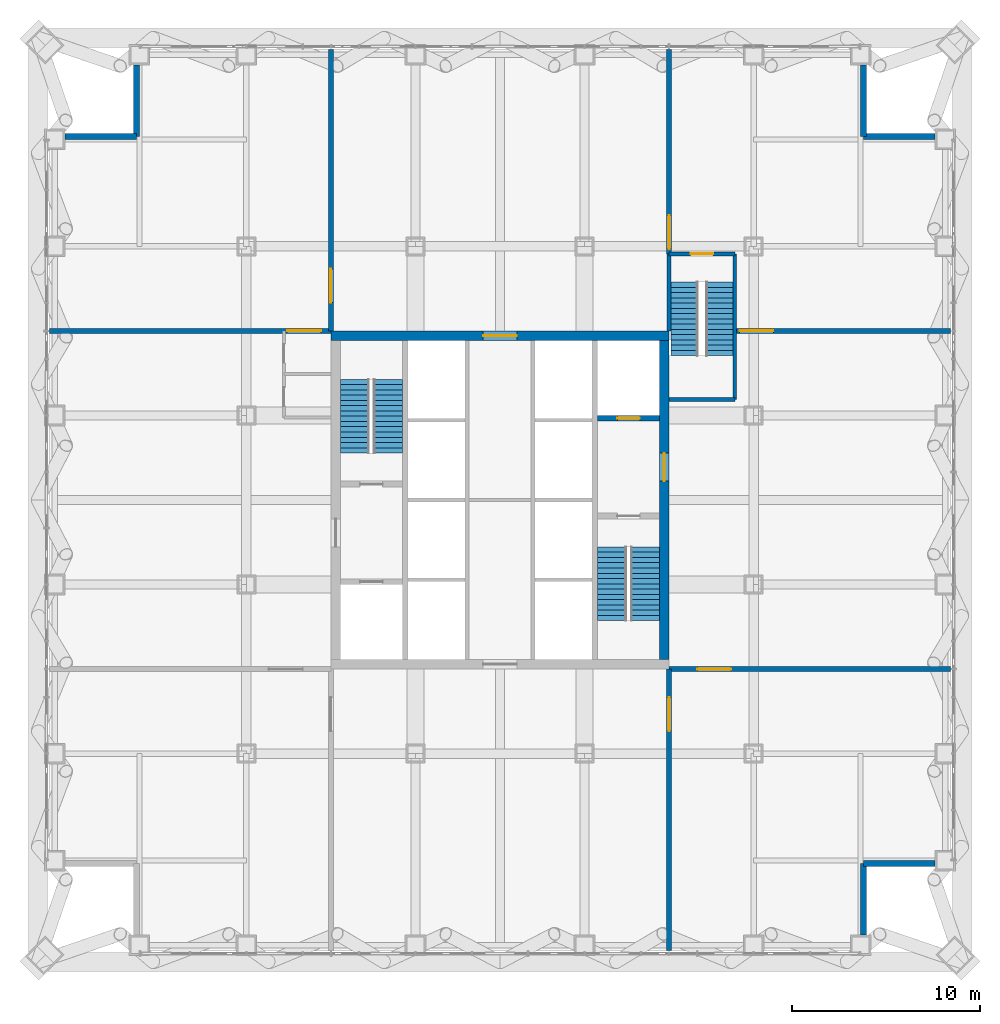
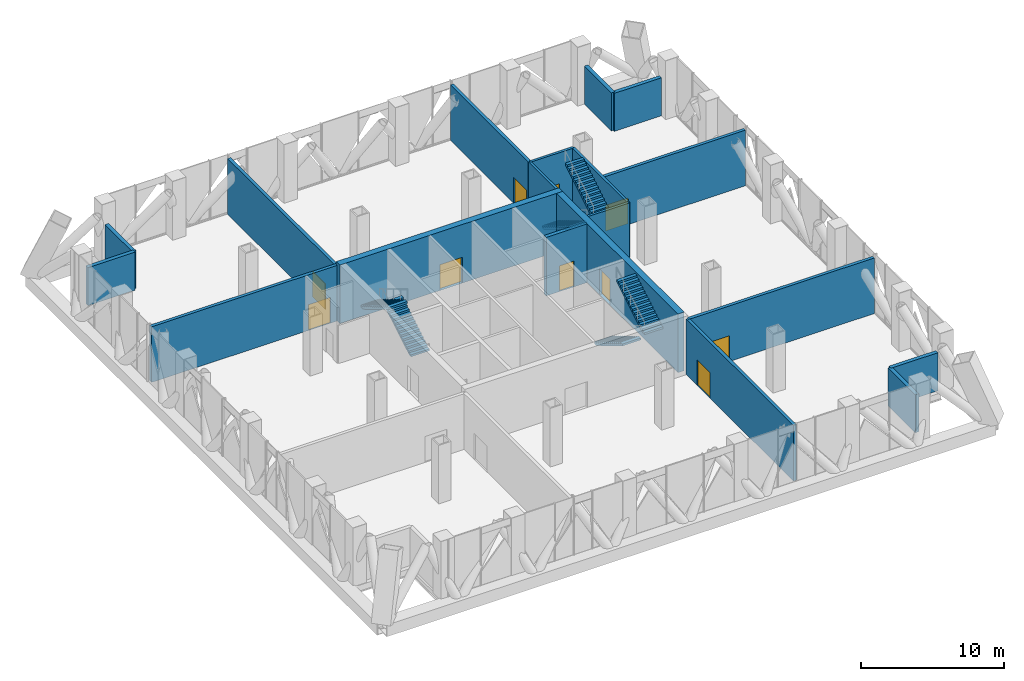
# One storey, part 15 of 29: 19 walls, 10 doors, 6 stair flights, 10 openings, 3 elements without a shape of their own.
"""IFC4 building model written with IfcOpenShell, lengths in metres."""

import ifcopenshell
import ifcopenshell.guid

model = None  # the IFC model being written
_history = None  # IfcOwnerHistory: only IFC2X3 demands one
_inside = {}  # id of a spatial element -> (the spatial element, [elements in it])
_under = {}  # id of a project, library or spatial element -> (it, [spatial elements below it])
_declared = {}  # id of a project -> (the project, [libraries it declares])
_typed = {}  # id of a type object -> (the type object, [elements of that type])
_made_of = {}  # id of a material, layer set ... -> (it, [elements and type objects made of it])


def new_model(schema):
    """Start an empty IFC model of exactly this schema.

    Asked for "IFC4X3", IfcOpenShell would pick the latest addendum, in which some entities
    have other attributes; the version numbers below select the first issue.
    IFC2X3 requires an IfcOwnerHistory on every rooted entity: one is made here for all.
    """
    global model, _history
    if schema == "IFC4X3":
        model = ifcopenshell.file(schema_version=(4, 3, 0, 0))
    else:
        model = ifcopenshell.file(schema=schema)
    _inside.clear()
    _under.clear()
    _declared.clear()
    _typed.clear()
    _made_of.clear()
    _history = None
    if model.schema == "IFC2X3":
        org = make("IfcOrganization", Name="unknown")
        user = make(
            "IfcPersonAndOrganization",
            ThePerson=make("IfcPerson", FamilyName="unknown"),
            TheOrganization=org,
        )
        app = make(
            "IfcApplication",
            ApplicationDeveloper=org,
            Version="unknown",
            ApplicationFullName="unknown",
            ApplicationIdentifier="unknown",
        )
        _history = make(
            "IfcOwnerHistory",
            OwningUser=user,
            OwningApplication=app,
            ChangeAction="ADDED",
            CreationDate=0,
        )
    return model


def make(cls, **values):
    """One entity of the class cls with the attributes given. An attribute that is None is left unset."""
    return model.create_entity(
        cls, **{name: value for name, value in values.items() if value is not None}
    )


def rooted(cls, **values):
    """An entity with a GlobalId (a new one), such as an element, a storey or a relation."""
    return make(cls, GlobalId=ifcopenshell.guid.new(), OwnerHistory=_history, **values)


def si_unit(unit_type, name, prefix=None):
    """IfcSIUnit, for example si_unit("LENGTHUNIT", "METRE", prefix="MILLI")."""
    return make("IfcSIUnit", UnitType=unit_type, Prefix=prefix, Name=name)


def assignment(units):
    """IfcUnitAssignment: the units of a project."""
    return None if units is None else make("IfcUnitAssignment", Units=units)


def point(xyz):
    """IfcCartesianPoint."""
    return None if xyz is None else make("IfcCartesianPoint", Coordinates=xyz)


def direction(xyz):
    """IfcDirection."""
    return None if xyz is None else make("IfcDirection", DirectionRatios=xyz)


def frame(location, z_axis=None, x_axis=None):
    """IfcAxis2Placement3D, a coordinate frame: its origin and axes. An axis left out is left unset."""
    return make(
        "IfcAxis2Placement3D",
        Location=point(location),
        Axis=direction(z_axis),
        RefDirection=direction(x_axis),
    )


def frame_2d(location, x_axis=None):
    """IfcAxis2Placement2D, a coordinate frame in the plane: its origin and x axis."""
    return make(
        "IfcAxis2Placement2D", Location=point(location), RefDirection=direction(x_axis)
    )


def origin():
    """The frame at (0, 0, 0) with its axes left unset."""
    return frame((0.0, 0.0, 0.0))


def place(relative_to, where):
    """IfcLocalPlacement: puts the frame where relative to a parent placement (None: the world)."""
    return make(
        "IfcLocalPlacement", PlacementRelTo=relative_to, RelativePlacement=where
    )


def context(
    kind, dimensions, precision=None, world=None, true_north=None, identifier=None
):
    """IfcGeometricRepresentationContext, for example the 3D "Model" context."""
    return make(
        "IfcGeometricRepresentationContext",
        ContextIdentifier=identifier,
        ContextType=kind,
        CoordinateSpaceDimension=dimensions,
        Precision=precision,
        WorldCoordinateSystem=world,
        TrueNorth=true_north,
    )


def subcontext(parent, identifier, kind, view, scale=None):
    """IfcGeometricRepresentationSubContext, for example "Body" below "Model"."""
    return make(
        "IfcGeometricRepresentationSubContext",
        ContextIdentifier=identifier,
        ContextType=kind,
        ParentContext=parent,
        TargetScale=scale,
        TargetView=view,
    )


def project(units=None, contexts=None):
    """IfcProject with its units and contexts."""
    return rooted(
        "IfcProject",
        Name="project",
        RepresentationContexts=contexts,
        UnitsInContext=assignment(units),
    )


def spatial(cls, under=None, at=None, **own):
    """A site, building, storey or space (cls), placed at a placement, below another one or the project."""
    s = rooted(cls, ObjectPlacement=at, **own)
    if under is not None:
        _under.setdefault(under.id(), (under, []))[1].append(s)
    return s


def polyline(points):
    """IfcPolyline through the points."""
    return make("IfcPolyline", Points=[point(p) for p in points])


def profile(cls, at=None, kind="AREA", **sizes):
    """A parametric profile (cls). Its sizes go by their IFC names, for example OverallWidth=200.0."""
    return make(cls, ProfileType=kind, Position=at, **sizes)


def rectangle(**sizes):
    """IfcRectangleProfileDef."""
    return profile("IfcRectangleProfileDef", **sizes)


def outline(outer, holes=None, kind="AREA"):
    """IfcArbitraryClosedProfileDef: a profile drawn as a closed curve; with holes, ...WithVoids."""
    if holes is None:
        return make("IfcArbitraryClosedProfileDef", ProfileType=kind, OuterCurve=outer)
    return make(
        "IfcArbitraryProfileDefWithVoids",
        ProfileType=kind,
        OuterCurve=outer,
        InnerCurves=holes,
    )


def extrude(swept, where, along, depth):
    """IfcExtrudedAreaSolid: the profile swept, set in the frame where, extruded along a direction by depth."""
    return make(
        "IfcExtrudedAreaSolid",
        SweptArea=swept,
        Position=where,
        ExtrudedDirection=direction(along),
        Depth=depth,
    )


def shape(context_of_items, identifier, shape_type, items):
    """IfcShapeRepresentation: the items that make up one representation, for example the "Body"."""
    return make(
        "IfcShapeRepresentation",
        ContextOfItems=context_of_items,
        RepresentationIdentifier=identifier,
        RepresentationType=shape_type,
        Items=items,
    )


def material(Name=None, Category=None):
    """IfcMaterial."""
    return make("IfcMaterial", Name=Name, Category=Category)


def layer(
    of_material, thickness, ventilated=None, Name=None, Category=None, Priority=None
):
    """IfcMaterialLayer: one layer of a wall or slab, of a material (None: an air gap)."""
    return make(
        "IfcMaterialLayer",
        Material=of_material,
        LayerThickness=thickness,
        IsVentilated=ventilated,
        Name=Name,
        Category=Category,
        Priority=Priority,
    )


def layer_set(layers, Name=None):
    """IfcMaterialLayerSet."""
    return make("IfcMaterialLayerSet", MaterialLayers=layers, LayerSetName=Name)


def made_of(thing, what):
    """Note that an element or type object is made of a material, layer set ...; save() writes the relation."""
    if what is not None:
        _made_of.setdefault(what.id(), (what, []))[1].append(thing)
    return thing


def type_object(cls, material=None, **own):
    """A type object (cls), such as IfcWallType, which elements share."""
    return made_of(rooted(cls, **own), material)


def element(
    cls,
    number,
    at=None,
    inside=None,
    cuts=None,
    type_object=None,
    material=None,
    context=None,
    identifier="Body",
    shape_type=None,
    held_by="IfcProductDefinitionShape",
    body=None,
    shapes=None,
    **own,
):
    """One element of the class cls, such as IfcWall. Its Tag is "e" and its number.

    at: its placement. inside: the storey or other place that contains it. cuts: it is an
    opening in that element (IfcRelVoidsElement). A single representation is given by context,
    identifier, shape_type and body (its items); several are given by shapes. held_by: the class
    of the entity that holds the representations. save() writes the other relations.
    """
    e = rooted(cls, Tag="e%d" % number, ObjectPlacement=at, **own)
    if body is not None:
        shapes = [shape(context, identifier, shape_type, body)]
    if shapes is not None:
        e.Representation = make(held_by, Representations=shapes)
    if inside is not None:
        _inside.setdefault(inside.id(), (inside, []))[1].append(e)
    if cuts is not None:
        rooted(
            "IfcRelVoidsElement", RelatingBuildingElement=cuts, RelatedOpeningElement=e
        )
    if type_object is not None:
        _typed.setdefault(type_object.id(), (type_object, []))[1].append(e)
    return made_of(e, material)


def fill(opening, filler):
    """IfcRelFillsElement: the door or window that sits in an opening."""
    return rooted(
        "IfcRelFillsElement",
        RelatingOpeningElement=opening,
        RelatedBuildingElement=filler,
    )


def aggregate(whole, parts):
    """IfcRelAggregates: a whole, such as a stair, and the parts it consists of."""
    return rooted("IfcRelAggregates", RelatingObject=whole, RelatedObjects=parts)


def save(model, path):
    """Write the relations noted so far, then the file.

    IfcRelAggregates (storeys below a building ...), IfcRelContainedInSpatialStructure (elements
    in a storey), IfcRelDefinesByType, IfcRelAssociatesMaterial and IfcRelDeclares: one each for
    every whole, place, type object, material and project.
    """
    for whole, parts in _under.values():
        aggregate(whole, parts)
    for where, things in _inside.values():
        rooted(
            "IfcRelContainedInSpatialStructure",
            RelatedElements=things,
            RelatingStructure=where,
        )
    for kind, things in _typed.values():
        rooted("IfcRelDefinesByType", RelatedObjects=things, RelatingType=kind)
    for what, things in _made_of.values():
        rooted("IfcRelAssociatesMaterial", RelatedObjects=things, RelatingMaterial=what)
    for by, libraries in _declared.values():
        rooted("IfcRelDeclares", RelatingContext=by, RelatedDefinitions=libraries)
    model.write(path)


model = new_model("IFC4")

# Units and contexts
model_context = context("Model", 3, precision=1e-05, world=origin(), true_north=direction((0.0, 1.0)))
body_context = subcontext(model_context, "Body", "Model", "MODEL_VIEW")
ifc_project = project(units=[si_unit("LENGTHUNIT", "METRE"), si_unit("AREAUNIT", "SQUARE_METRE"), si_unit("VOLUMEUNIT", "CUBIC_METRE"), si_unit("PLANEANGLEUNIT", "RADIAN"), si_unit("MASSUNIT", "GRAM", prefix="KILO")], contexts=[model_context])

# Site, building, storey
site_placement = place(None, origin())
site = spatial("IfcSite", under=ifc_project, at=site_placement, CompositionType="ELEMENT")
building_placement = place(site_placement, origin())
building = spatial("IfcBuilding", under=site, at=building_placement, Name="Malebo Sky Hospital", CompositionType="ELEMENT")
storey_placement = place(building_placement, frame((0.0, 0.0, 172.0)))
storey = spatial("IfcBuildingStorey", under=building, at=storey_placement, Name="L41", CompositionType="ELEMENT", Elevation=172.0)

# Wall, opening, door
ifc_material_1 = material(Name="Concrete C80/95", Category="concrete")
ifc_layer_1 = layer(ifc_material_1, 0.300048828125)
ifc_layer_set_1 = layer_set([ifc_layer_1], Name="CORE INNER WALL 300")
wall_type_1 = type_object("IfcWallType", Name="CORE INNER WALL 300", PredefinedType="SHEAR", material=ifc_layer_set_1)
wall_1_placement = place(storey_placement, frame((65.199951171875, 66.35009765625, 0.0), z_axis=(0.0, 0.0, 1.0), x_axis=(1.0, 0.0, 0.0)))
wall_1 = element("IfcWall", 1, at=wall_1_placement, inside=storey, type_object=wall_type_1, Name="Core wall E2 L41", PredefinedType="SHEAR", context=body_context, shape_type="SweptSolid", body=[
    extrude(rectangle(XDim=3.300048828125, YDim=0.300048828125, at=frame_2d((1.64990234375, 0.0))), origin(), (0.0, 0.0, 1.0), 5.0),
])
opening_1_placement = place(wall_1_placement, frame((1.050048828125, 0.0, 0.0)))
opening_1 = element("IfcOpeningElement", 2, at=opening_1_placement, cuts=wall_1, Name="Opening LD2", PredefinedType="OPENING", context=body_context, shape_type="SweptSolid", body=[
    extrude(rectangle(XDim=1.199951171875, YDim=2.199951171875, at=frame_2d((0.60009765625, 1.10009765625))), frame((0.0, 0.159912109375, 0.0), z_axis=(0.0, -1.0, 0.0), x_axis=(1.0, 0.0, 0.0)), (0.0, 0.0, 1.0), 0.320068359375),
])
ifc_material_2 = material(Name="Stainless steel sliding landing door", Category="steel")
door_type_1 = type_object("IfcDoorType", Name="FIRE-FIGHTING LIFT LANDING DOOR 1200", OperationType="SLIDING_TO_LEFT", PredefinedType="DOOR", material=ifc_material_2)
door_1_placement = place(opening_1_placement, origin())
door_1 = element("IfcDoor", 3, at=door_1_placement, inside=storey, type_object=door_type_1, Name="Lift FL2 landing door", OperationType="SLIDING_TO_LEFT", OverallHeight=2.199951171875, OverallWidth=1.199951171875, PredefinedType="DOOR", context=body_context, shape_type="SweptSolid", body=[
    extrude(rectangle(XDim=1.199951171875, YDim=2.199951171875, at=frame_2d((0.60009765625, 1.10009765625))), frame((0.0, 0.02490234375, 0.0), z_axis=(0.0, -1.0, 0.0), x_axis=(1.0, 0.0, 0.0)), (0.0, 0.0, 1.0), 0.050048828125),
])
fill(opening_1, door_1)

ifc_layer_2 = layer(ifc_material_1, 0.5)
ifc_layer_set_2 = layer_set([ifc_layer_2], Name="CORE WALL 500")
wall_type_2 = type_object("IfcWallType", Name="CORE WALL 500", PredefinedType="SHEAR", material=ifc_layer_set_2)
wall_2_placement = place(storey_placement, frame((51.0, 70.75, 0.0), z_axis=(0.0, 0.0, 1.0), x_axis=(1.0, 0.0, 0.0)))
wall_2 = element("IfcWall", 4, at=wall_2_placement, inside=storey, type_object=wall_type_2, Name="Core wall N L41", PredefinedType="SHEAR", context=body_context, shape_type="SweptSolid", body=[
    extrude(rectangle(XDim=18.0, YDim=0.5, at=frame_2d((9.0, 0.0))), origin(), (0.0, 0.0, 1.0), 5.0),
])
opening_2_placement = place(wall_2_placement, frame((8.10009765625, 0.0, 0.0)))
opening_2 = element("IfcOpeningElement", 5, at=opening_2_placement, cuts=wall_2, Name="Opening D06", PredefinedType="OPENING", context=body_context, shape_type="SweptSolid", body=[
    extrude(rectangle(XDim=1.800048828125, YDim=2.199951171875, at=frame_2d((0.89990234375, 1.10009765625))), frame((0.0, 0.260009765625, 0.0), z_axis=(0.0, -1.0, 0.0), x_axis=(1.0, 0.0, 0.0)), (0.0, 0.0, 1.0), 0.52001953125),
])
ifc_material_3 = material(Name="Hardwood-faced door leaf in steel frame", Category="steel")
door_type_2 = type_object("IfcDoorType", Name="LOBBY DOOR PAIR 1800", OperationType="DOUBLE_DOOR_SINGLE_SWING", PredefinedType="DOOR", material=ifc_material_3)
door_2_placement = place(opening_2_placement, origin())
door_2 = element("IfcDoor", 6, at=door_2_placement, inside=storey, type_object=door_type_2, Name="Controls plant room door", OperationType="DOUBLE_DOOR_SINGLE_SWING", OverallHeight=2.199951171875, OverallWidth=1.800048828125, PredefinedType="DOOR", context=body_context, shape_type="SweptSolid", body=[
    extrude(rectangle(XDim=1.800048828125, YDim=2.199951171875, at=frame_2d((0.89990234375, 1.10009765625))), frame((0.0, 0.02490234375, 0.0), z_axis=(0.0, -1.0, 0.0), x_axis=(1.0, 0.0, 0.0)), (0.0, 0.0, 1.0), 0.050048828125),
])
fill(opening_2, door_2)

wall_3_placement = place(storey_placement, frame((68.75, 53.5, 0.0), z_axis=(0.0, 0.0, 1.0), x_axis=(0.0, 1.0, 0.0)))
wall_3 = element("IfcWall", 7, at=wall_3_placement, inside=storey, type_object=wall_type_2, Name="Core wall E L41", PredefinedType="SHEAR", context=body_context, shape_type="SweptSolid", body=[
    extrude(rectangle(XDim=17.0, YDim=0.5, at=frame_2d((8.5, 0.0))), origin(), (0.0, 0.0, 1.0), 5.0),
])
opening_3_placement = place(wall_3_placement, frame((9.5, 0.0, 0.0)))
opening_3 = element("IfcOpeningElement", 8, at=opening_3_placement, cuts=wall_3, Name="Opening D07", PredefinedType="OPENING", context=body_context, shape_type="SweptSolid", body=[
    extrude(rectangle(XDim=1.5, YDim=2.199951171875, at=frame_2d((0.75, 1.10009765625))), frame((0.0, 0.260009765625, 0.0), z_axis=(0.0, -1.0, 0.0), x_axis=(1.0, 0.0, 0.0)), (0.0, 0.0, 1.0), 0.52001953125),
])
door_type_3 = type_object("IfcDoorType", Name="FIRE-FIGHTING LOBBY DOOR PAIR 1500", OperationType="DOUBLE_DOOR_SINGLE_SWING", PredefinedType="DOOR", material=ifc_material_3)
door_3_placement = place(opening_3_placement, origin())
door_3 = element("IfcDoor", 9, at=door_3_placement, inside=storey, type_object=door_type_3, Name="Fire-fighting lobby door east", OperationType="DOUBLE_DOOR_SINGLE_SWING", OverallHeight=2.199951171875, OverallWidth=1.5, PredefinedType="DOOR", context=body_context, shape_type="SweptSolid", body=[
    extrude(rectangle(XDim=1.5, YDim=2.199951171875, at=frame_2d((0.75, 1.10009765625))), frame((0.0, 0.02490234375, 0.0), z_axis=(0.0, -1.0, 0.0), x_axis=(1.0, 0.0, 0.0)), (0.0, 0.0, 1.0), 0.050048828125),
])
fill(opening_3, door_3)

# Walls
ifc_material_4 = material(Name="Anodised aluminium rainscreen on steel framing", Category="steel")
ifc_layer_3 = layer(ifc_material_4, 0.300048828125)
ifc_layer_set_3 = layer_set([ifc_layer_3], Name="NOTCH RAINSCREEN WALL 300")
wall_type_3 = type_object("IfcWallType", Name="NOTCH RAINSCREEN WALL 300", PredefinedType="ELEMENTEDWALL", material=ifc_layer_set_3)
for number, where, z_axis, x_axis, name in (
    (10, (79.35009765625, 85.14990234375, 0.0), (0.0, 0.0, 1.0), (0.0, -1.0, 0.0), "Notch rainscreen wall N1 L41"),
    (11, (79.35009765625, 81.35009765625, 0.0), (0.0, 0.0, 1.0), (1.0, 0.0, 0.0), "Notch rainscreen wall N2 L41"),
    (12, (36.85009765625, 81.35009765625, 0.0), (0.0, 0.0, 1.0), (1.0, 0.0, 0.0), "Notch rainscreen wall W1 L41"),
    (13, (40.64990234375, 81.35009765625, 0.0), (0.0, 0.0, 1.0), (0.0, 1.0, 0.0), "Notch rainscreen wall W2 L41"),
    (14, (83.14990234375, 42.64990234375, 0.0), (0.0, 0.0, 1.0), (-1.0, 0.0, 0.0), "Notch rainscreen wall E1 L41"),
    (15, (79.35009765625, 42.64990234375, 0.0), (0.0, 0.0, 1.0), (0.0, -1.0, 0.0), "Notch rainscreen wall E2 L41"),
):
    element("IfcWall", number, at=place(storey_placement, frame(where, z_axis=z_axis, x_axis=x_axis)), inside=storey, type_object=wall_type_3, Name=name, PredefinedType="ELEMENTEDWALL", context=body_context, shape_type="SweptSolid", body=[
        extrude(rectangle(XDim=3.7998046875, YDim=0.300048828125, at=frame_2d((1.89990234375, 0.0))), origin(), (0.0, 0.0, 1.0), 3.25),
    ])

# Wall, opening, door
ifc_material_5 = material(Name="Concrete blockwork", Category="masonry")
ifc_layer_4 = layer(ifc_material_5, 0.25)
ifc_layer_set_4 = layer_set([ifc_layer_4], Name="PLANT ROOM WALL 250")
wall_type_4 = type_object("IfcWallType", Name="PLANT ROOM WALL 250", PredefinedType="SOLIDWALL", material=ifc_layer_set_4)
wall_4_placement = place(storey_placement, frame((69.0, 75.10009765625, 0.0), z_axis=(0.0, 0.0, 1.0), x_axis=(0.0, 1.0, 0.0)))
wall_4 = element("IfcWall", 16, at=wall_4_placement, inside=storey, type_object=wall_type_4, Name="Plant Room Wall 250 NP9", PredefinedType="SOLIDWALL", context=body_context, shape_type="SweptSolid", body=[
    extrude(rectangle(XDim=10.885009765625, YDim=0.25, at=frame_2d((5.4423828125, 0.0))), origin(), (0.0, 0.0, 1.0), 4.75),
])
opening_4_placement = place(wall_4_placement, frame((0.25, 0.0, 0.0)))
opening_4 = element("IfcOpeningElement", 17, at=opening_4_placement, cuts=wall_4, Name="Opening D09", PredefinedType="OPENING", context=body_context, shape_type="SweptSolid", body=[
    extrude(rectangle(XDim=1.800048828125, YDim=2.199951171875, at=frame_2d((0.89990234375, 1.10009765625))), frame((0.0, 0.135009765625, 0.0), z_axis=(0.0, -1.0, 0.0), x_axis=(1.0, 0.0, 0.0)), (0.0, 0.0, 1.0), 0.27001953125),
])
door_type_4 = type_object("IfcDoorType", Name="PLANT ROOM DOOR PAIR 1800", OperationType="DOUBLE_DOOR_SINGLE_SWING", PredefinedType="DOOR", material=ifc_material_3)
door_4_placement = place(opening_4_placement, origin())
door_4 = element("IfcDoor", 18, at=door_4_placement, inside=storey, type_object=door_type_4, Name="Medical gas plant room door", OperationType="DOUBLE_DOOR_SINGLE_SWING", OverallHeight=2.199951171875, OverallWidth=1.800048828125, PredefinedType="DOOR", context=body_context, shape_type="SweptSolid", body=[
    extrude(rectangle(XDim=1.800048828125, YDim=2.199951171875, at=frame_2d((0.89990234375, 1.10009765625))), frame((0.0, 0.02490234375, 0.0), z_axis=(0.0, -1.0, 0.0), x_axis=(1.0, 0.0, 0.0)), (0.0, 0.0, 1.0), 0.050048828125),
])
fill(opening_4, door_4)

wall_5_placement = place(storey_placement, frame((51.0, 71.0, 0.0), z_axis=(0.0, 0.0, 1.0), x_axis=(0.0, 1.0, 0.0)))
wall_5 = element("IfcWall", 19, at=wall_5_placement, inside=storey, type_object=wall_type_4, Name="Plant Room Wall 250 NP8", PredefinedType="SOLIDWALL", context=body_context, shape_type="SweptSolid", body=[
    extrude(rectangle(XDim=14.985107421875, YDim=0.25, at=frame_2d((7.49267578125, 0.0))), origin(), (0.0, 0.0, 1.0), 4.75),
])
opening_5_placement = place(wall_5_placement, frame((1.5, 0.0, 0.0)))
opening_5 = element("IfcOpeningElement", 20, at=opening_5_placement, cuts=wall_5, Name="Opening D09", PredefinedType="OPENING", context=body_context, shape_type="SweptSolid", body=[
    extrude(rectangle(XDim=1.800048828125, YDim=2.199951171875, at=frame_2d((0.89990234375, 1.10009765625))), frame((0.0, 0.135009765625, 0.0), z_axis=(0.0, -1.0, 0.0), x_axis=(1.0, 0.0, 0.0)), (0.0, 0.0, 1.0), 0.27001953125),
])
door_5_placement = place(opening_5_placement, origin())
door_5 = element("IfcDoor", 21, at=door_5_placement, inside=storey, type_object=door_type_4, Name="Air handling plant room door", OperationType="DOUBLE_DOOR_SINGLE_SWING", OverallHeight=2.199951171875, OverallWidth=1.800048828125, PredefinedType="DOOR", context=body_context, shape_type="SweptSolid", body=[
    extrude(rectangle(XDim=1.800048828125, YDim=2.199951171875, at=frame_2d((0.89990234375, 1.10009765625))), frame((0.0, 0.02490234375, 0.0), z_axis=(0.0, -1.0, 0.0), x_axis=(1.0, 0.0, 0.0)), (0.0, 0.0, 1.0), 0.050048828125),
])
fill(opening_5, door_5)

wall_6_placement = place(storey_placement, frame((51.0, 71.0, 0.0), z_axis=(0.0, 0.0, 1.0), x_axis=(-1.0, 0.0, 0.0)))
wall_6 = element("IfcWall", 22, at=wall_6_placement, inside=storey, type_object=wall_type_4, Name="Plant Room Wall 250 WP9", PredefinedType="SOLIDWALL", context=body_context, shape_type="SweptSolid", body=[
    extrude(rectangle(XDim=14.985107421875, YDim=0.25, at=frame_2d((7.49267578125, 0.0))), origin(), (0.0, 0.0, 1.0), 4.75),
])
opening_6_placement = place(wall_6_placement, frame((0.52490234375, 0.0, 0.0)))
opening_6 = element("IfcOpeningElement", 23, at=opening_6_placement, cuts=wall_6, Name="Opening D09", PredefinedType="OPENING", context=body_context, shape_type="SweptSolid", body=[
    extrude(rectangle(XDim=1.800048828125, YDim=2.199951171875, at=frame_2d((0.89990234375, 1.10009765625))), frame((0.0, 0.135009765625, 0.0), z_axis=(0.0, -1.0, 0.0), x_axis=(1.0, 0.0, 0.0)), (0.0, 0.0, 1.0), 0.27001953125),
])
door_6_placement = place(opening_6_placement, origin())
door_6 = element("IfcDoor", 24, at=door_6_placement, inside=storey, type_object=door_type_4, Name="Water tank room door", OperationType="DOUBLE_DOOR_SINGLE_SWING", OverallHeight=2.199951171875, OverallWidth=1.800048828125, PredefinedType="DOOR", context=body_context, shape_type="SweptSolid", body=[
    extrude(rectangle(XDim=1.800048828125, YDim=2.199951171875, at=frame_2d((0.89990234375, 1.10009765625))), frame((0.0, 0.02490234375, 0.0), z_axis=(0.0, -1.0, 0.0), x_axis=(1.0, 0.0, 0.0)), (0.0, 0.0, 1.0), 0.050048828125),
])
fill(opening_6, door_6)

wall_7_placement = place(storey_placement, frame((69.0, 53.0, 0.0), z_axis=(0.0, 0.0, 1.0), x_axis=(0.0, -1.0, 0.0)))
wall_7 = element("IfcWall", 25, at=wall_7_placement, inside=storey, type_object=wall_type_4, Name="Plant Room Wall 250 SP8", PredefinedType="SOLIDWALL", context=body_context, shape_type="SweptSolid", body=[
    extrude(rectangle(XDim=14.985107421875, YDim=0.25, at=frame_2d((7.49267578125, 0.0))), origin(), (0.0, 0.0, 1.0), 4.75),
])
opening_7_placement = place(wall_7_placement, frame((1.5, 0.0, 0.0)))
opening_7 = element("IfcOpeningElement", 26, at=opening_7_placement, cuts=wall_7, Name="Opening D09", PredefinedType="OPENING", context=body_context, shape_type="SweptSolid", body=[
    extrude(rectangle(XDim=1.800048828125, YDim=2.199951171875, at=frame_2d((0.89990234375, 1.10009765625))), frame((0.0, 0.135009765625, 0.0), z_axis=(0.0, -1.0, 0.0), x_axis=(1.0, 0.0, 0.0)), (0.0, 0.0, 1.0), 0.27001953125),
])
door_7_placement = place(opening_7_placement, origin())
door_7 = element("IfcDoor", 27, at=door_7_placement, inside=storey, type_object=door_type_4, Name="Chilled water plant room door", OperationType="DOUBLE_DOOR_SINGLE_SWING", OverallHeight=2.199951171875, OverallWidth=1.800048828125, PredefinedType="DOOR", context=body_context, shape_type="SweptSolid", body=[
    extrude(rectangle(XDim=1.800048828125, YDim=2.199951171875, at=frame_2d((0.89990234375, 1.10009765625))), frame((0.0, 0.02490234375, 0.0), z_axis=(0.0, -1.0, 0.0), x_axis=(1.0, 0.0, 0.0)), (0.0, 0.0, 1.0), 0.050048828125),
])
fill(opening_7, door_7)

wall_8_placement = place(storey_placement, frame((69.0, 53.0, 0.0), z_axis=(0.0, 0.0, 1.0), x_axis=(1.0, 0.0, 0.0)))
wall_8 = element("IfcWall", 28, at=wall_8_placement, inside=storey, type_object=wall_type_4, Name="Plant Room Wall 250 EP9", PredefinedType="SOLIDWALL", context=body_context, shape_type="SweptSolid", body=[
    extrude(rectangle(XDim=14.985107421875, YDim=0.25, at=frame_2d((7.49267578125, 0.0))), origin(), (0.0, 0.0, 1.0), 4.75),
])
opening_8_placement = place(wall_8_placement, frame((1.5, 0.0, 0.0)))
opening_8 = element("IfcOpeningElement", 29, at=opening_8_placement, cuts=wall_8, Name="Opening D09", PredefinedType="OPENING", context=body_context, shape_type="SweptSolid", body=[
    extrude(rectangle(XDim=1.800048828125, YDim=2.199951171875, at=frame_2d((0.89990234375, 1.10009765625))), frame((0.0, 0.135009765625, 0.0), z_axis=(0.0, -1.0, 0.0), x_axis=(1.0, 0.0, 0.0)), (0.0, 0.0, 1.0), 0.27001953125),
])
door_8_placement = place(opening_8_placement, origin())
door_8 = element("IfcDoor", 30, at=door_8_placement, inside=storey, type_object=door_type_4, Name="Fire pump room door", OperationType="DOUBLE_DOOR_SINGLE_SWING", OverallHeight=2.199951171875, OverallWidth=1.800048828125, PredefinedType="DOOR", context=body_context, shape_type="SweptSolid", body=[
    extrude(rectangle(XDim=1.800048828125, YDim=2.199951171875, at=frame_2d((0.89990234375, 1.10009765625))), frame((0.0, 0.02490234375, 0.0), z_axis=(0.0, -1.0, 0.0), x_axis=(1.0, 0.0, 0.0)), (0.0, 0.0, 1.0), 0.050048828125),
])
fill(opening_8, door_8)

wall_9_placement = place(storey_placement, frame((72.5, 71.0, 0.0), z_axis=(0.0, 0.0, 1.0), x_axis=(1.0, 0.0, 0.0)))
wall_9 = element("IfcWall", 31, at=wall_9_placement, inside=storey, type_object=wall_type_4, Name="Plant Room Wall 250 EP8", PredefinedType="SOLIDWALL", context=body_context, shape_type="SweptSolid", body=[
    extrude(rectangle(XDim=11.485107421875, YDim=0.25, at=frame_2d((5.74267578125, 0.0))), origin(), (0.0, 0.0, 1.0), 4.75),
])
opening_9_placement = place(wall_9_placement, frame((0.25, 0.0, 0.0)))
opening_9 = element("IfcOpeningElement", 32, at=opening_9_placement, cuts=wall_9, Name="Opening D09", PredefinedType="OPENING", context=body_context, shape_type="SweptSolid", body=[
    extrude(rectangle(XDim=1.800048828125, YDim=2.199951171875, at=frame_2d((0.89990234375, 1.10009765625))), frame((0.0, 0.135009765625, 0.0), z_axis=(0.0, -1.0, 0.0), x_axis=(1.0, 0.0, 0.0)), (0.0, 0.0, 1.0), 0.27001953125),
])
door_9_placement = place(opening_9_placement, origin())
door_9 = element("IfcDoor", 33, at=door_9_placement, inside=storey, type_object=door_type_4, Name="Refuge area east door", OperationType="DOUBLE_DOOR_SINGLE_SWING", OverallHeight=2.199951171875, OverallWidth=1.800048828125, PredefinedType="DOOR", context=body_context, shape_type="SweptSolid", body=[
    extrude(rectangle(XDim=1.800048828125, YDim=2.199951171875, at=frame_2d((0.89990234375, 1.10009765625))), frame((0.0, 0.02490234375, 0.0), z_axis=(0.0, -1.0, 0.0), x_axis=(1.0, 0.0, 0.0)), (0.0, 0.0, 1.0), 0.050048828125),
])
fill(opening_9, door_9)

# Walls
ifc_material_6 = material(Name="Concrete C40/50", Category="concrete")
ifc_layer_5 = layer(ifc_material_6, 0.199951171875)
ifc_layer_set_5 = layer_set([ifc_layer_5], Name="STAIR ENCLOSURE WALL 200")
wall_type_5 = type_object("IfcWallType", Name="STAIR ENCLOSURE WALL 200", PredefinedType="SOLIDWALL", material=ifc_layer_set_5)
wall_10_placement = place(storey_placement, frame((69.0, 71.0, 0.0), z_axis=(0.0, 0.0, 1.0), x_axis=(0.0, 1.0, 0.0)))
element("IfcWall", 34, at=wall_10_placement, inside=storey, type_object=wall_type_5, Name="Stair Enclosure Wall 200 ST3W", PredefinedType="SOLIDWALL", context=body_context, shape_type="SweptSolid", body=[
    extrude(rectangle(XDim=4.10009765625, YDim=0.199951171875, at=frame_2d((2.050048828125, 0.0))), origin(), (0.0, 0.0, 1.0), 4.75),
])
wall_11_placement = place(storey_placement, frame((69.0, 67.35009765625, 0.0), z_axis=(0.0, 0.0, 1.0), x_axis=(1.0, 0.0, 0.0)))
element("IfcWall", 35, at=wall_11_placement, inside=storey, type_object=wall_type_5, Name="Stair Enclosure Wall 200 ST3S", PredefinedType="SOLIDWALL", context=body_context, shape_type="SweptSolid", body=[
    extrude(rectangle(XDim=3.5, YDim=0.199951171875, at=frame_2d((1.75, 0.0))), origin(), (0.0, 0.0, 1.0), 4.75),
])
wall_12_placement = place(storey_placement, frame((72.5, 67.35009765625, 0.0), z_axis=(0.0, 0.0, 1.0), x_axis=(0.0, 1.0, 0.0)))
element("IfcWall", 36, at=wall_12_placement, inside=storey, type_object=wall_type_5, Name="Stair Enclosure Wall 200 ST3E", PredefinedType="SOLIDWALL", context=body_context, shape_type="SweptSolid", body=[
    extrude(rectangle(XDim=7.75, YDim=0.199951171875, at=frame_2d((3.875, 0.0))), origin(), (0.0, 0.0, 1.0), 4.75),
])

# Wall, opening, door
wall_13_placement = place(storey_placement, frame((69.0, 75.10009765625, 0.0), z_axis=(0.0, 0.0, 1.0), x_axis=(1.0, 0.0, 0.0)))
wall_13 = element("IfcWall", 37, at=wall_13_placement, inside=storey, type_object=wall_type_5, Name="Stair Enclosure Wall 200 ST3N", PredefinedType="SOLIDWALL", context=body_context, shape_type="SweptSolid", body=[
    extrude(rectangle(XDim=3.5, YDim=0.199951171875, at=frame_2d((1.75, 0.0))), origin(), (0.0, 0.0, 1.0), 4.75),
])
opening_10_placement = place(wall_13_placement, frame((1.14990234375, 0.0, 0.0)))
opening_10 = element("IfcOpeningElement", 38, at=opening_10_placement, cuts=wall_13, Name="Opening D08", PredefinedType="OPENING", context=body_context, shape_type="SweptSolid", body=[
    extrude(rectangle(XDim=1.199951171875, YDim=2.10009765625, at=frame_2d((0.60009765625, 1.050048828125))), frame((0.0, 0.10986328125, 0.0), z_axis=(0.0, -1.0, 0.0), x_axis=(1.0, 0.0, 0.0)), (0.0, 0.0, 1.0), 0.219970703125),
])
door_type_5 = type_object("IfcDoorType", Name="STAIR DOOR 1200", OperationType="SINGLE_SWING_LEFT", PredefinedType="DOOR", material=ifc_material_3)
door_10_placement = place(opening_10_placement, origin())
door_10 = element("IfcDoor", 39, at=door_10_placement, inside=storey, type_object=door_type_5, Name="Stair S3 door", OperationType="SINGLE_SWING_LEFT", OverallHeight=2.10009765625, OverallWidth=1.199951171875, PredefinedType="DOOR", context=body_context, shape_type="SweptSolid", body=[
    extrude(rectangle(XDim=1.199951171875, YDim=2.10009765625, at=frame_2d((0.60009765625, 1.050048828125))), frame((0.0, 0.02490234375, 0.0), z_axis=(0.0, -1.0, 0.0), x_axis=(1.0, 0.0, 0.0)), (0.0, 0.0, 1.0), 0.050048828125),
])
fill(opening_10, door_10)

# Stair, stair flights
stair_type_1 = type_object("IfcStairType", Name="HALF-TURN STAIR 1400 R167", PredefinedType="HALF_TURN_STAIR", material=ifc_material_6)
stair_1_placement = place(storey_placement, origin())
stair_1 = element("IfcStair", 40, at=stair_1_placement, inside=storey, type_object=stair_type_1, Name="Stair S3 L41 type ST1B", PredefinedType="HALF_TURN_STAIR")
stair_flight_type_1 = type_object("IfcStairFlightType", Name="STAIR FLIGHT 1400 R167", PredefinedType="STRAIGHT", material=ifc_material_6)
stair_flight_1_placement = place(storey_placement, frame((69.800048828125, 73.60009765625, 0.0), z_axis=(0.0, 0.0, 1.0), x_axis=(0.0, -1.0, 0.0)))
stair_flight_1 = element("IfcStairFlight", 41, at=stair_flight_1_placement, type_object=stair_flight_type_1, Name="S3 flight 1 type SF1B", NumberOfRisers=15, NumberOfTreads=14, PredefinedType="STRAIGHT", RiserHeight=0.166666667, TreadLength=0.28, context=body_context, shape_type="SweptSolid", body=[
    extrude(outline(polyline([(0.0, 0.0), (0.0, 0.166748046875), (0.280029296875, 0.166748046875), (0.280029296875, 0.333251953125), (0.56005859375, 0.333251953125), (0.56005859375, 0.5), (0.840087890625, 0.5), (0.840087890625, 0.666748046875), (1.1201171875, 0.666748046875), (1.1201171875, 0.833251953125), (1.39990234375, 0.833251953125), (1.39990234375, 1.0), (1.679931640625, 1.0), (1.679931640625, 1.166748046875), (1.9599609375, 1.166748046875), (1.9599609375, 1.333251953125), (2.239990234375, 1.333251953125), (2.239990234375, 1.5), (2.52001953125, 1.5), (2.52001953125, 1.666748046875), (2.800048828125, 1.666748046875), (2.800048828125, 1.833251953125), (3.080078125, 1.833251953125), (3.080078125, 2.0), (3.360107421875, 2.0), (3.360107421875, 2.166748046875), (3.639892578125, 2.166748046875), (3.639892578125, 2.333251953125), (3.919921875, 2.333251953125), (3.919921875, 2.5), (3.919921875, 2.158935546875), (0.29296875, 0.0), (0.0, 0.0)])), frame((0.0, 0.699951171875, 0.0), z_axis=(0.0, -1.0, 0.0), x_axis=(1.0, 0.0, 0.0)), (0.0, 0.0, 1.0), 1.39990234375),
])
stair_flight_2_placement = place(storey_placement, frame((71.699951171875, 69.679931640625, 2.5), z_axis=(0.0, 0.0, 1.0), x_axis=(0.0, 1.0, 0.0)))
stair_flight_2 = element("IfcStairFlight", 42, at=stair_flight_2_placement, type_object=stair_flight_type_1, Name="S3 flight 2 type SF1B", NumberOfRisers=15, NumberOfTreads=14, PredefinedType="STRAIGHT", RiserHeight=0.166666667, TreadLength=0.28, context=body_context, shape_type="SweptSolid", body=[
    extrude(outline(polyline([(0.0, 0.0), (0.0, 0.166748046875), (0.280029296875, 0.166748046875), (0.280029296875, 0.333251953125), (0.56005859375, 0.333251953125), (0.56005859375, 0.5), (0.840087890625, 0.5), (0.840087890625, 0.666748046875), (1.1201171875, 0.666748046875), (1.1201171875, 0.833251953125), (1.39990234375, 0.833251953125), (1.39990234375, 1.0), (1.679931640625, 1.0), (1.679931640625, 1.166748046875), (1.9599609375, 1.166748046875), (1.9599609375, 1.333251953125), (2.239990234375, 1.333251953125), (2.239990234375, 1.5), (2.52001953125, 1.5), (2.52001953125, 1.666748046875), (2.800048828125, 1.666748046875), (2.800048828125, 1.833251953125), (3.080078125, 1.833251953125), (3.080078125, 2.0), (3.360107421875, 2.0), (3.360107421875, 2.166748046875), (3.639892578125, 2.166748046875), (3.639892578125, 2.333251953125), (3.919921875, 2.333251953125), (3.919921875, 2.5), (3.919921875, 2.158935546875), (0.29296875, 0.0), (0.0, 0.0)])), frame((0.0, 0.699951171875, 0.0), z_axis=(0.0, -1.0, 0.0), x_axis=(1.0, 0.0, 0.0)), (0.0, 0.0, 1.0), 1.39990234375),
])
aggregate(stair_1, [stair_flight_1, stair_flight_2])

stair_type_2 = type_object("IfcStairType", Name="HALF-TURN STAIR 1500 R167", PredefinedType="HALF_TURN_STAIR", material=ifc_material_6)
stair_2_placement = place(storey_placement, origin())
stair_2 = element("IfcStair", 43, at=stair_2_placement, inside=storey, type_object=stair_type_2, Name="Stair S1 L41 type ST1", PredefinedType="HALF_TURN_STAIR")
stair_flight_type_2 = type_object("IfcStairFlightType", Name="STAIR FLIGHT 1500 R167", PredefinedType="STRAIGHT", material=ifc_material_6)
stair_flight_3_placement = place(storey_placement, frame((54.050048828125, 64.5, 0.0), z_axis=(0.0, 0.0, 1.0), x_axis=(0.0, 1.0, 0.0)))
stair_flight_3 = element("IfcStairFlight", 44, at=stair_flight_3_placement, type_object=stair_flight_type_2, Name="S1 flight 1 type SF1", NumberOfRisers=15, NumberOfTreads=14, PredefinedType="STRAIGHT", RiserHeight=0.166666667, TreadLength=0.28, context=body_context, shape_type="SweptSolid", body=[
    extrude(outline(polyline([(0.0, 0.0), (0.0, 0.166748046875), (0.280029296875, 0.166748046875), (0.280029296875, 0.333251953125), (0.56005859375, 0.333251953125), (0.56005859375, 0.5), (0.840087890625, 0.5), (0.840087890625, 0.666748046875), (1.1201171875, 0.666748046875), (1.1201171875, 0.833251953125), (1.39990234375, 0.833251953125), (1.39990234375, 1.0), (1.679931640625, 1.0), (1.679931640625, 1.166748046875), (1.9599609375, 1.166748046875), (1.9599609375, 1.333251953125), (2.239990234375, 1.333251953125), (2.239990234375, 1.5), (2.52001953125, 1.5), (2.52001953125, 1.666748046875), (2.800048828125, 1.666748046875), (2.800048828125, 1.833251953125), (3.080078125, 1.833251953125), (3.080078125, 2.0), (3.360107421875, 2.0), (3.360107421875, 2.166748046875), (3.639892578125, 2.166748046875), (3.639892578125, 2.333251953125), (3.919921875, 2.333251953125), (3.919921875, 2.5), (3.919921875, 2.158935546875), (0.29296875, 0.0), (0.0, 0.0)])), frame((0.0, 0.75, 0.0), z_axis=(0.0, -1.0, 0.0), x_axis=(1.0, 0.0, 0.0)), (0.0, 0.0, 1.0), 1.5),
])
stair_flight_4_placement = place(storey_placement, frame((52.25, 68.419921875, 2.5), z_axis=(0.0, 0.0, 1.0), x_axis=(0.0, -1.0, 0.0)))
stair_flight_4 = element("IfcStairFlight", 45, at=stair_flight_4_placement, type_object=stair_flight_type_2, Name="S1 flight 2 type SF1", NumberOfRisers=15, NumberOfTreads=14, PredefinedType="STRAIGHT", RiserHeight=0.166666667, TreadLength=0.28, context=body_context, shape_type="SweptSolid", body=[
    extrude(outline(polyline([(0.0, 0.0), (0.0, 0.166748046875), (0.280029296875, 0.166748046875), (0.280029296875, 0.333251953125), (0.56005859375, 0.333251953125), (0.56005859375, 0.5), (0.840087890625, 0.5), (0.840087890625, 0.666748046875), (1.1201171875, 0.666748046875), (1.1201171875, 0.833251953125), (1.39990234375, 0.833251953125), (1.39990234375, 1.0), (1.679931640625, 1.0), (1.679931640625, 1.166748046875), (1.9599609375, 1.166748046875), (1.9599609375, 1.333251953125), (2.239990234375, 1.333251953125), (2.239990234375, 1.5), (2.52001953125, 1.5), (2.52001953125, 1.666748046875), (2.800048828125, 1.666748046875), (2.800048828125, 1.833251953125), (3.080078125, 1.833251953125), (3.080078125, 2.0), (3.360107421875, 2.0), (3.360107421875, 2.166748046875), (3.639892578125, 2.166748046875), (3.639892578125, 2.333251953125), (3.919921875, 2.333251953125), (3.919921875, 2.5), (3.919921875, 2.158935546875), (0.29296875, 0.0), (0.0, 0.0)])), frame((0.0, 0.75, 0.0), z_axis=(0.0, -1.0, 0.0), x_axis=(1.0, 0.0, 0.0)), (0.0, 0.0, 1.0), 1.5),
])
aggregate(stair_2, [stair_flight_3, stair_flight_4])

stair_3_placement = place(storey_placement, origin())
stair_3 = element("IfcStair", 46, at=stair_3_placement, inside=storey, type_object=stair_type_2, Name="Stair S2 L41 type ST1", PredefinedType="HALF_TURN_STAIR")
stair_flight_5_placement = place(storey_placement, frame((65.949951171875, 59.5, 0.0), z_axis=(0.0, 0.0, 1.0), x_axis=(0.0, -1.0, 0.0)))
stair_flight_5 = element("IfcStairFlight", 47, at=stair_flight_5_placement, type_object=stair_flight_type_2, Name="S2 flight 1 type SF1", NumberOfRisers=15, NumberOfTreads=14, PredefinedType="STRAIGHT", RiserHeight=0.166666667, TreadLength=0.28, context=body_context, shape_type="SweptSolid", body=[
    extrude(outline(polyline([(0.0, 0.0), (0.0, 0.166748046875), (0.280029296875, 0.166748046875), (0.280029296875, 0.333251953125), (0.56005859375, 0.333251953125), (0.56005859375, 0.5), (0.840087890625, 0.5), (0.840087890625, 0.666748046875), (1.1201171875, 0.666748046875), (1.1201171875, 0.833251953125), (1.39990234375, 0.833251953125), (1.39990234375, 1.0), (1.679931640625, 1.0), (1.679931640625, 1.166748046875), (1.9599609375, 1.166748046875), (1.9599609375, 1.333251953125), (2.239990234375, 1.333251953125), (2.239990234375, 1.5), (2.52001953125, 1.5), (2.52001953125, 1.666748046875), (2.800048828125, 1.666748046875), (2.800048828125, 1.833251953125), (3.080078125, 1.833251953125), (3.080078125, 2.0), (3.360107421875, 2.0), (3.360107421875, 2.166748046875), (3.639892578125, 2.166748046875), (3.639892578125, 2.333251953125), (3.919921875, 2.333251953125), (3.919921875, 2.5), (3.919921875, 2.158935546875), (0.29296875, 0.0), (0.0, 0.0)])), frame((0.0, 0.75, 0.0), z_axis=(0.0, -1.0, 0.0), x_axis=(1.0, 0.0, 0.0)), (0.0, 0.0, 1.0), 1.5),
])
stair_flight_6_placement = place(storey_placement, frame((67.75, 55.580078125, 2.5), z_axis=(0.0, 0.0, 1.0), x_axis=(0.0, 1.0, 0.0)))
stair_flight_6 = element("IfcStairFlight", 48, at=stair_flight_6_placement, type_object=stair_flight_type_2, Name="S2 flight 2 type SF1", NumberOfRisers=15, NumberOfTreads=14, PredefinedType="STRAIGHT", RiserHeight=0.166666667, TreadLength=0.28, context=body_context, shape_type="SweptSolid", body=[
    extrude(outline(polyline([(0.0, 0.0), (0.0, 0.166748046875), (0.280029296875, 0.166748046875), (0.280029296875, 0.333251953125), (0.56005859375, 0.333251953125), (0.56005859375, 0.5), (0.840087890625, 0.5), (0.840087890625, 0.666748046875), (1.1201171875, 0.666748046875), (1.1201171875, 0.833251953125), (1.39990234375, 0.833251953125), (1.39990234375, 1.0), (1.679931640625, 1.0), (1.679931640625, 1.166748046875), (1.9599609375, 1.166748046875), (1.9599609375, 1.333251953125), (2.239990234375, 1.333251953125), (2.239990234375, 1.5), (2.52001953125, 1.5), (2.52001953125, 1.666748046875), (2.800048828125, 1.666748046875), (2.800048828125, 1.833251953125), (3.080078125, 1.833251953125), (3.080078125, 2.0), (3.360107421875, 2.0), (3.360107421875, 2.166748046875), (3.639892578125, 2.166748046875), (3.639892578125, 2.333251953125), (3.919921875, 2.333251953125), (3.919921875, 2.5), (3.919921875, 2.158935546875), (0.29296875, 0.0), (0.0, 0.0)])), frame((0.0, 0.75, 0.0), z_axis=(0.0, -1.0, 0.0), x_axis=(1.0, 0.0, 0.0)), (0.0, 0.0, 1.0), 1.5),
])
aggregate(stair_3, [stair_flight_5, stair_flight_6])

save(model, "model.ifc")
